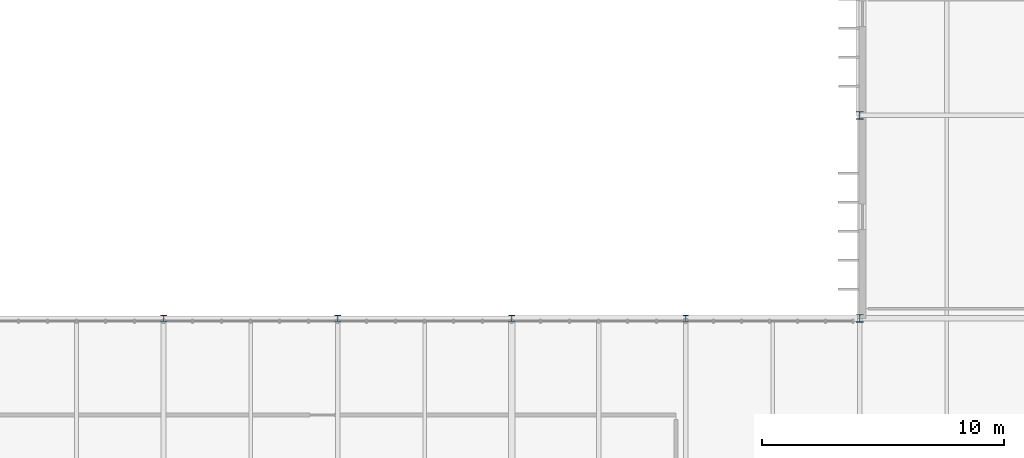
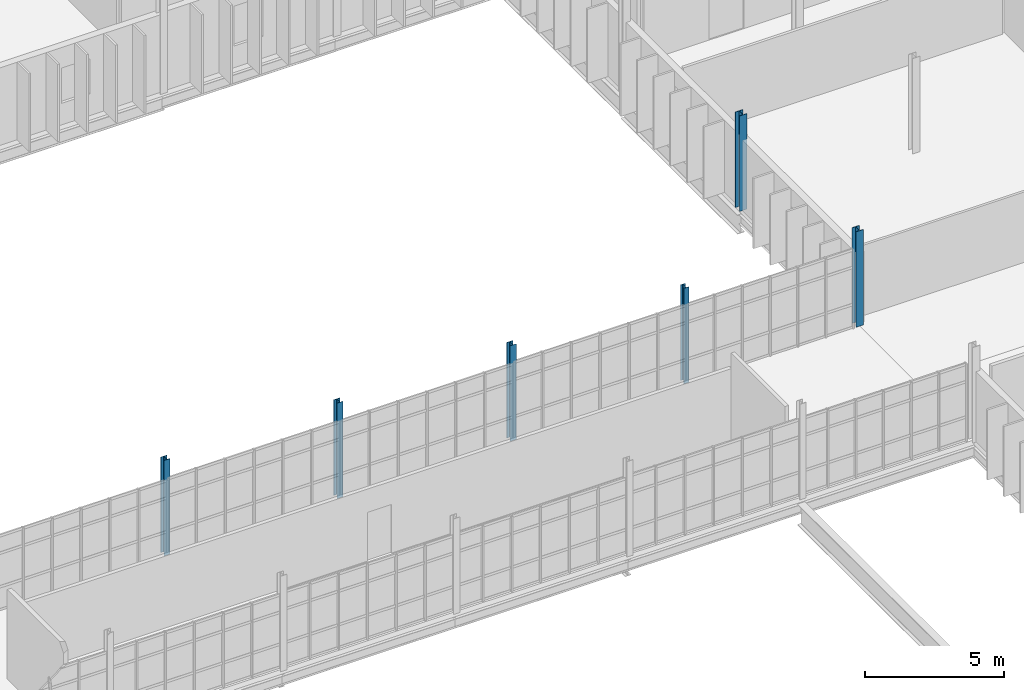
# One storey, part 10 of 99: 6 columns.
"""IFC4 building model written with IfcOpenShell, lengths in metres."""

import ifcopenshell
import ifcopenshell.guid

model = None  # the IFC model being written
_history = None  # IfcOwnerHistory: only IFC2X3 demands one
_inside = {}  # id of a spatial element -> (the spatial element, [elements in it])
_under = {}  # id of a project, library or spatial element -> (it, [spatial elements below it])
_declared = {}  # id of a project -> (the project, [libraries it declares])
_typed = {}  # id of a type object -> (the type object, [elements of that type])
_made_of = {}  # id of a material, layer set ... -> (it, [elements and type objects made of it])


def new_model(schema):
    """Start an empty IFC model of exactly this schema.

    Asked for "IFC4X3", IfcOpenShell would pick the latest addendum, in which some entities
    have other attributes; the version numbers below select the first issue.
    IFC2X3 requires an IfcOwnerHistory on every rooted entity: one is made here for all.
    """
    global model, _history
    if schema == "IFC4X3":
        model = ifcopenshell.file(schema_version=(4, 3, 0, 0))
    else:
        model = ifcopenshell.file(schema=schema)
    _inside.clear()
    _under.clear()
    _declared.clear()
    _typed.clear()
    _made_of.clear()
    _history = None
    if model.schema == "IFC2X3":
        org = make("IfcOrganization", Name="unknown")
        user = make(
            "IfcPersonAndOrganization",
            ThePerson=make("IfcPerson", FamilyName="unknown"),
            TheOrganization=org,
        )
        app = make(
            "IfcApplication",
            ApplicationDeveloper=org,
            Version="unknown",
            ApplicationFullName="unknown",
            ApplicationIdentifier="unknown",
        )
        _history = make(
            "IfcOwnerHistory",
            OwningUser=user,
            OwningApplication=app,
            ChangeAction="ADDED",
            CreationDate=0,
        )
    return model


def make(cls, **values):
    """One entity of the class cls with the attributes given. An attribute that is None is left unset."""
    return model.create_entity(
        cls, **{name: value for name, value in values.items() if value is not None}
    )


def rooted(cls, **values):
    """An entity with a GlobalId (a new one), such as an element, a storey or a relation."""
    return make(cls, GlobalId=ifcopenshell.guid.new(), OwnerHistory=_history, **values)


def si_unit(unit_type, name, prefix=None):
    """IfcSIUnit, for example si_unit("LENGTHUNIT", "METRE", prefix="MILLI")."""
    return make("IfcSIUnit", UnitType=unit_type, Prefix=prefix, Name=name)


def assignment(units):
    """IfcUnitAssignment: the units of a project."""
    return None if units is None else make("IfcUnitAssignment", Units=units)


def point(xyz):
    """IfcCartesianPoint."""
    return None if xyz is None else make("IfcCartesianPoint", Coordinates=xyz)


def direction(xyz):
    """IfcDirection."""
    return None if xyz is None else make("IfcDirection", DirectionRatios=xyz)


def frame(location, z_axis=None, x_axis=None):
    """IfcAxis2Placement3D, a coordinate frame: its origin and axes. An axis left out is left unset."""
    return make(
        "IfcAxis2Placement3D",
        Location=point(location),
        Axis=direction(z_axis),
        RefDirection=direction(x_axis),
    )


def frame_2d(location, x_axis=None):
    """IfcAxis2Placement2D, a coordinate frame in the plane: its origin and x axis."""
    return make(
        "IfcAxis2Placement2D", Location=point(location), RefDirection=direction(x_axis)
    )


def origin():
    """The frame at (0, 0, 0) with its axes left unset."""
    return frame((0.0, 0.0, 0.0))


def origin_2d():
    """The frame at (0, 0) in the plane with its x axis left unset."""
    return frame_2d((0.0, 0.0))


def place(relative_to, where):
    """IfcLocalPlacement: puts the frame where relative to a parent placement (None: the world)."""
    return make(
        "IfcLocalPlacement", PlacementRelTo=relative_to, RelativePlacement=where
    )


def context(
    kind, dimensions, precision=None, world=None, true_north=None, identifier=None
):
    """IfcGeometricRepresentationContext, for example the 3D "Model" context."""
    return make(
        "IfcGeometricRepresentationContext",
        ContextIdentifier=identifier,
        ContextType=kind,
        CoordinateSpaceDimension=dimensions,
        Precision=precision,
        WorldCoordinateSystem=world,
        TrueNorth=true_north,
    )


def subcontext(parent, identifier, kind, view, scale=None):
    """IfcGeometricRepresentationSubContext, for example "Body" below "Model"."""
    return make(
        "IfcGeometricRepresentationSubContext",
        ContextIdentifier=identifier,
        ContextType=kind,
        ParentContext=parent,
        TargetScale=scale,
        TargetView=view,
    )


def project(units=None, contexts=None):
    """IfcProject with its units and contexts."""
    return rooted(
        "IfcProject",
        Name="project",
        RepresentationContexts=contexts,
        UnitsInContext=assignment(units),
    )


def spatial(cls, under=None, at=None, **own):
    """A site, building, storey or space (cls), placed at a placement, below another one or the project."""
    s = rooted(cls, ObjectPlacement=at, **own)
    if under is not None:
        _under.setdefault(under.id(), (under, []))[1].append(s)
    return s


def profile(cls, at=None, kind="AREA", **sizes):
    """A parametric profile (cls). Its sizes go by their IFC names, for example OverallWidth=200.0."""
    return make(cls, ProfileType=kind, Position=at, **sizes)


def i_section(**sizes):
    """IfcIShapeProfileDef."""
    return profile("IfcIShapeProfileDef", **sizes)


def extrude(swept, where, along, depth):
    """IfcExtrudedAreaSolid: the profile swept, set in the frame where, extruded along a direction by depth."""
    return make(
        "IfcExtrudedAreaSolid",
        SweptArea=swept,
        Position=where,
        ExtrudedDirection=direction(along),
        Depth=depth,
    )


def shape(context_of_items, identifier, shape_type, items):
    """IfcShapeRepresentation: the items that make up one representation, for example the "Body"."""
    return make(
        "IfcShapeRepresentation",
        ContextOfItems=context_of_items,
        RepresentationIdentifier=identifier,
        RepresentationType=shape_type,
        Items=items,
    )


def material(Name=None, Category=None):
    """IfcMaterial."""
    return make("IfcMaterial", Name=Name, Category=Category)


def material_profile(
    of_material, cross_section, Name=None, Category=None, Priority=None
):
    """IfcMaterialProfile: a cross section and its material."""
    return make(
        "IfcMaterialProfile",
        Name=Name,
        Material=of_material,
        Profile=cross_section,
        Priority=Priority,
        Category=Category,
    )


def profile_set(profiles, Name=None, composite=None):
    """IfcMaterialProfileSet."""
    return make(
        "IfcMaterialProfileSet",
        Name=Name,
        MaterialProfiles=profiles,
        CompositeProfile=composite,
    )


def made_of(thing, what):
    """Note that an element or type object is made of a material, layer set ...; save() writes the relation."""
    if what is not None:
        _made_of.setdefault(what.id(), (what, []))[1].append(thing)
    return thing


def type_object(cls, material=None, **own):
    """A type object (cls), such as IfcWallType, which elements share."""
    return made_of(rooted(cls, **own), material)


def element(
    cls,
    number,
    at=None,
    inside=None,
    cuts=None,
    type_object=None,
    material=None,
    context=None,
    identifier="Body",
    shape_type=None,
    held_by="IfcProductDefinitionShape",
    body=None,
    shapes=None,
    **own,
):
    """One element of the class cls, such as IfcWall. Its Tag is "e" and its number.

    at: its placement. inside: the storey or other place that contains it. cuts: it is an
    opening in that element (IfcRelVoidsElement). A single representation is given by context,
    identifier, shape_type and body (its items); several are given by shapes. held_by: the class
    of the entity that holds the representations. save() writes the other relations.
    """
    e = rooted(cls, Tag="e%d" % number, ObjectPlacement=at, **own)
    if body is not None:
        shapes = [shape(context, identifier, shape_type, body)]
    if shapes is not None:
        e.Representation = make(held_by, Representations=shapes)
    if inside is not None:
        _inside.setdefault(inside.id(), (inside, []))[1].append(e)
    if cuts is not None:
        rooted(
            "IfcRelVoidsElement", RelatingBuildingElement=cuts, RelatedOpeningElement=e
        )
    if type_object is not None:
        _typed.setdefault(type_object.id(), (type_object, []))[1].append(e)
    return made_of(e, material)


def aggregate(whole, parts):
    """IfcRelAggregates: a whole, such as a stair, and the parts it consists of."""
    return rooted("IfcRelAggregates", RelatingObject=whole, RelatedObjects=parts)


def save(model, path):
    """Write the relations noted so far, then the file.

    IfcRelAggregates (storeys below a building ...), IfcRelContainedInSpatialStructure (elements
    in a storey), IfcRelDefinesByType, IfcRelAssociatesMaterial and IfcRelDeclares: one each for
    every whole, place, type object, material and project.
    """
    for whole, parts in _under.values():
        aggregate(whole, parts)
    for where, things in _inside.values():
        rooted(
            "IfcRelContainedInSpatialStructure",
            RelatedElements=things,
            RelatingStructure=where,
        )
    for kind, things in _typed.values():
        rooted("IfcRelDefinesByType", RelatedObjects=things, RelatingType=kind)
    for what, things in _made_of.values():
        rooted("IfcRelAssociatesMaterial", RelatedObjects=things, RelatingMaterial=what)
    for by, libraries in _declared.values():
        rooted("IfcRelDeclares", RelatingContext=by, RelatedDefinitions=libraries)
    model.write(path)


model = new_model("IFC4")

# Units and contexts
model_context = context("Model", 3, precision=1e-05, world=origin(), true_north=direction((0.0, 1.0)))
body_context = subcontext(model_context, "Body", "Model", "MODEL_VIEW")
ifc_project = project(units=[si_unit("LENGTHUNIT", "METRE"), si_unit("AREAUNIT", "SQUARE_METRE"), si_unit("VOLUMEUNIT", "CUBIC_METRE"), si_unit("PLANEANGLEUNIT", "RADIAN"), si_unit("MASSUNIT", "GRAM", prefix="KILO")], contexts=[model_context])

# Site, building, storey
site_placement = place(None, origin())
site = spatial("IfcSite", under=ifc_project, at=site_placement, CompositionType="ELEMENT")
building_placement = place(site_placement, origin())
building = spatial("IfcBuilding", under=site, at=building_placement, Name="Qelthora Terrace Specialist Clinic", CompositionType="ELEMENT")
storey_placement = place(building_placement, frame((0.0, 0.0, 9.0)))
storey = spatial("IfcBuildingStorey", under=building, at=storey_placement, Name="L02", CompositionType="ELEMENT", Elevation=9.0)

# Columns
ifc_material = material(Name="Steel S355", Category="steel")
ifc_material_profile_1 = material_profile(ifc_material, i_section(OverallWidth=0.2041015625, OverallDepth=0.257080078125, WebThickness=0.0087890625, FlangeThickness=0.015625, FilletRadius=0.012939453125, at=origin_2d()), Name="W250X67")
ifc_profile_set_1 = profile_set([ifc_material_profile_1], Name="Steel S355")
column_type_1 = type_object("IfcColumnType", Name="COL-W250X67", PredefinedType="COLUMN", material=ifc_profile_set_1)
column_1_placement = place(storey_placement, frame((86.39990234375, 67.199951171875, 0.0), z_axis=(0.0, 0.0, 1.0), x_axis=(1.0, 0.0, 0.0)))
element("IfcColumn", 1, at=column_1_placement, inside=storey, type_object=column_type_1, Name="Column L02-143", PredefinedType="COLUMN", context=body_context, shape_type="SweptSolid", body=[
    extrude(i_section(OverallWidth=0.2041015625, OverallDepth=0.257080078125, WebThickness=0.0087890625, FlangeThickness=0.015625, FilletRadius=0.012939453125, at=origin_2d()), origin(), (0.0, 0.0, 1.0), 4.199951171875),
])
ifc_material_profile_2 = material_profile(ifc_material, i_section(OverallWidth=0.25390625, OverallDepth=0.2529296875, WebThickness=0.008544921875, FlangeThickness=0.01416015625, FilletRadius=0.012939453125, at=origin_2d()), Name="W250X73")
ifc_profile_set_2 = profile_set([ifc_material_profile_2], Name="Steel S355")
column_type_2 = type_object("IfcColumnType", Name="COL-W250X73", PredefinedType="COLUMN", material=ifc_profile_set_2)
for number, where, z_axis, x_axis, name in (
    (2, (64.800048828125, 67.199951171875, 0.0), (0.0, 0.0, 1.0), (1.0, 0.0, 0.0), "Column L02-118"),
    (3, (72.0, 67.199951171875, 0.0), (0.0, 0.0, 1.0), (1.0, 0.0, 0.0), "Column L02-126"),
    (4, (79.199951171875, 67.199951171875, 0.0), (0.0, 0.0, 1.0), (1.0, 0.0, 0.0), "Column L02-134"),
):
    element("IfcColumn", number, at=place(storey_placement, frame(where, z_axis=z_axis, x_axis=x_axis)), inside=storey, type_object=column_type_2, Name=name, PredefinedType="COLUMN", context=body_context, shape_type="SweptSolid", body=[
        extrude(i_section(OverallWidth=0.25390625, OverallDepth=0.2529296875, WebThickness=0.008544921875, FlangeThickness=0.01416015625, FilletRadius=0.012939453125, at=origin_2d()), origin(), (0.0, 0.0, 1.0), 4.199951171875),
    ])
ifc_material_profile_3 = material_profile(ifc_material, i_section(OverallWidth=0.306884765625, OverallDepth=0.31396484375, WebThickness=0.011962890625, FlangeThickness=0.018798828125, FilletRadius=0.01611328125, at=origin_2d()), Name="W310X118")
ifc_profile_set_3 = profile_set([ifc_material_profile_3], Name="Steel S355")
column_type_3 = type_object("IfcColumnType", Name="COL-W310X118", PredefinedType="COLUMN", material=ifc_profile_set_3)
column_2_placement = place(storey_placement, frame((93.60009765625, 75.60009765625, 0.0), z_axis=(0.0, 0.0, 1.0), x_axis=(1.0, 0.0, 0.0)))
element("IfcColumn", 5, at=column_2_placement, inside=storey, type_object=column_type_3, Name="Column L02-156", PredefinedType="COLUMN", context=body_context, shape_type="SweptSolid", body=[
    extrude(i_section(OverallWidth=0.306884765625, OverallDepth=0.31396484375, WebThickness=0.011962890625, FlangeThickness=0.018798828125, FilletRadius=0.01611328125, at=origin_2d()), origin(), (0.0, 0.0, 1.0), 4.199951171875),
])
ifc_material_profile_4 = material_profile(ifc_material, i_section(OverallWidth=0.304931640625, OverallDepth=0.30810546875, WebThickness=0.010009765625, FlangeThickness=0.015380859375, FilletRadius=0.014892578125, at=origin_2d()), Name="W310X97")
ifc_profile_set_4 = profile_set([ifc_material_profile_4], Name="Steel S355")
column_type_4 = type_object("IfcColumnType", Name="COL-W310X97", PredefinedType="COLUMN", material=ifc_profile_set_4)
column_3_placement = place(storey_placement, frame((93.60009765625, 67.199951171875, 0.0), z_axis=(0.0, 0.0, 1.0), x_axis=(1.0, 0.0, 0.0)))
element("IfcColumn", 6, at=column_3_placement, inside=storey, type_object=column_type_4, Name="Column L02-155", PredefinedType="COLUMN", context=body_context, shape_type="SweptSolid", body=[
    extrude(i_section(OverallWidth=0.304931640625, OverallDepth=0.30810546875, WebThickness=0.010009765625, FlangeThickness=0.015380859375, FilletRadius=0.014892578125, at=origin_2d()), origin(), (0.0, 0.0, 1.0), 4.199951171875),
])

save(model, "model.ifc")
